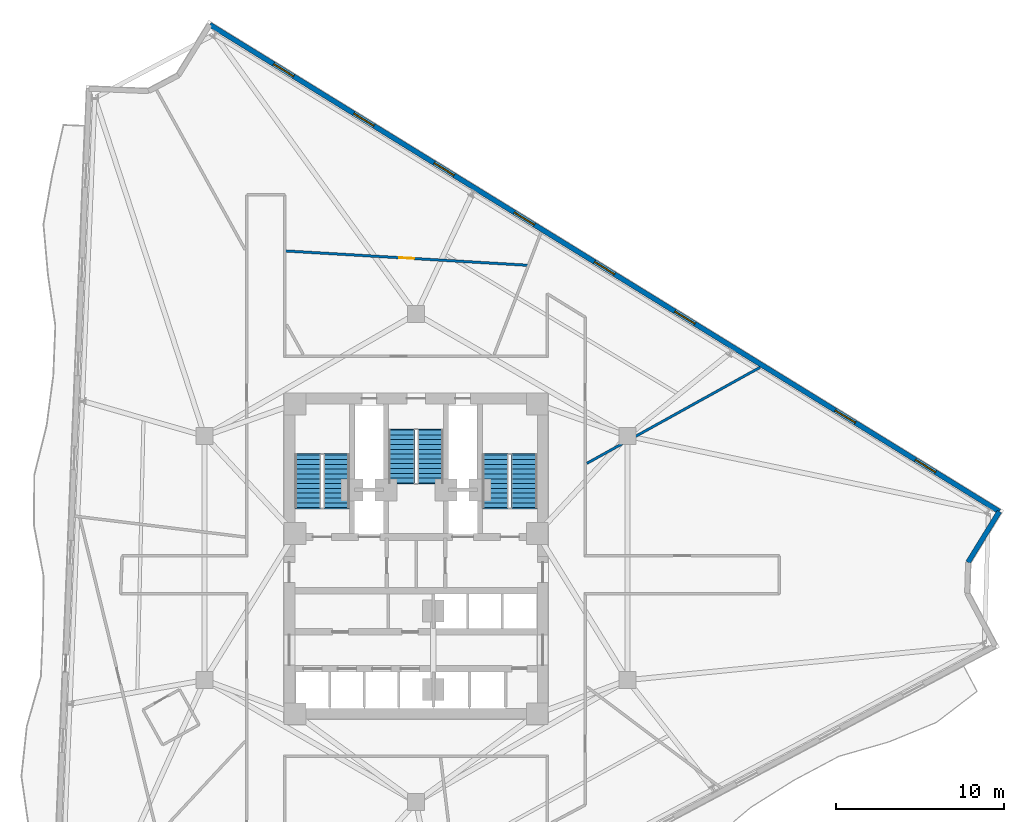
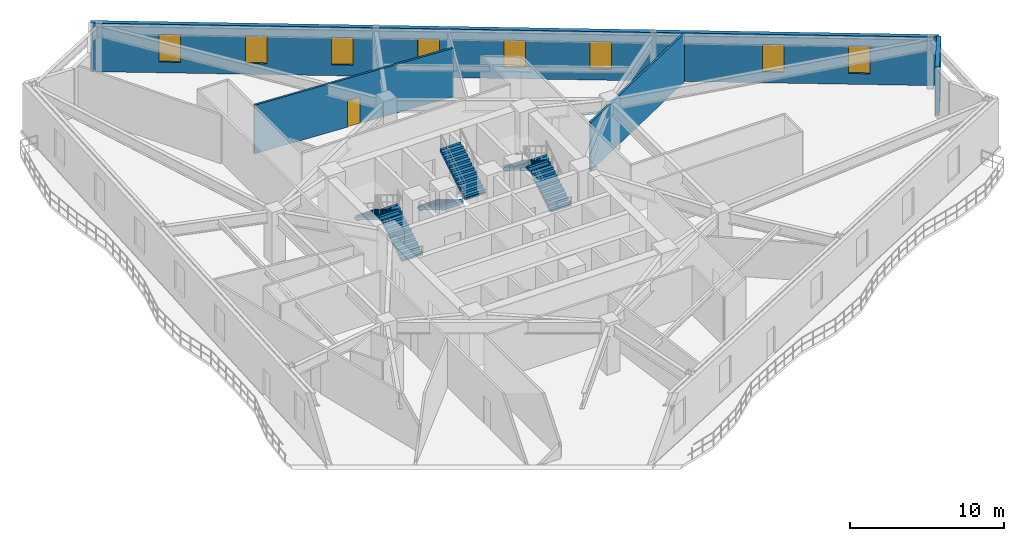
# One storey, part 8 of 11: 8 windows, 6 stair flights, 4 walls, 1 door, 9 openings, 3 elements without a shape of their own.
"""IFC4 building model written with IfcOpenShell, lengths in metres."""

import ifcopenshell
import ifcopenshell.guid

model = None  # the IFC model being written
_history = None  # IfcOwnerHistory: only IFC2X3 demands one
_inside = {}  # id of a spatial element -> (the spatial element, [elements in it])
_under = {}  # id of a project, library or spatial element -> (it, [spatial elements below it])
_declared = {}  # id of a project -> (the project, [libraries it declares])
_typed = {}  # id of a type object -> (the type object, [elements of that type])
_made_of = {}  # id of a material, layer set ... -> (it, [elements and type objects made of it])


def new_model(schema):
    """Start an empty IFC model of exactly this schema.

    Asked for "IFC4X3", IfcOpenShell would pick the latest addendum, in which some entities
    have other attributes; the version numbers below select the first issue.
    IFC2X3 requires an IfcOwnerHistory on every rooted entity: one is made here for all.
    """
    global model, _history
    if schema == "IFC4X3":
        model = ifcopenshell.file(schema_version=(4, 3, 0, 0))
    else:
        model = ifcopenshell.file(schema=schema)
    _inside.clear()
    _under.clear()
    _declared.clear()
    _typed.clear()
    _made_of.clear()
    _history = None
    if model.schema == "IFC2X3":
        org = make("IfcOrganization", Name="unknown")
        user = make(
            "IfcPersonAndOrganization",
            ThePerson=make("IfcPerson", FamilyName="unknown"),
            TheOrganization=org,
        )
        app = make(
            "IfcApplication",
            ApplicationDeveloper=org,
            Version="unknown",
            ApplicationFullName="unknown",
            ApplicationIdentifier="unknown",
        )
        _history = make(
            "IfcOwnerHistory",
            OwningUser=user,
            OwningApplication=app,
            ChangeAction="ADDED",
            CreationDate=0,
        )
    return model


def make(cls, **values):
    """One entity of the class cls with the attributes given. An attribute that is None is left unset."""
    return model.create_entity(
        cls, **{name: value for name, value in values.items() if value is not None}
    )


def rooted(cls, **values):
    """An entity with a GlobalId (a new one), such as an element, a storey or a relation."""
    return make(cls, GlobalId=ifcopenshell.guid.new(), OwnerHistory=_history, **values)


def si_unit(unit_type, name, prefix=None):
    """IfcSIUnit, for example si_unit("LENGTHUNIT", "METRE", prefix="MILLI")."""
    return make("IfcSIUnit", UnitType=unit_type, Prefix=prefix, Name=name)


def assignment(units):
    """IfcUnitAssignment: the units of a project."""
    return None if units is None else make("IfcUnitAssignment", Units=units)


def point(xyz):
    """IfcCartesianPoint."""
    return None if xyz is None else make("IfcCartesianPoint", Coordinates=xyz)


def direction(xyz):
    """IfcDirection."""
    return None if xyz is None else make("IfcDirection", DirectionRatios=xyz)


def frame(location, z_axis=None, x_axis=None):
    """IfcAxis2Placement3D, a coordinate frame: its origin and axes. An axis left out is left unset."""
    return make(
        "IfcAxis2Placement3D",
        Location=point(location),
        Axis=direction(z_axis),
        RefDirection=direction(x_axis),
    )


def frame_2d(location, x_axis=None):
    """IfcAxis2Placement2D, a coordinate frame in the plane: its origin and x axis."""
    return make(
        "IfcAxis2Placement2D", Location=point(location), RefDirection=direction(x_axis)
    )


def origin():
    """The frame at (0, 0, 0) with its axes left unset."""
    return frame((0.0, 0.0, 0.0))


def place(relative_to, where):
    """IfcLocalPlacement: puts the frame where relative to a parent placement (None: the world)."""
    return make(
        "IfcLocalPlacement", PlacementRelTo=relative_to, RelativePlacement=where
    )


def context(
    kind, dimensions, precision=None, world=None, true_north=None, identifier=None
):
    """IfcGeometricRepresentationContext, for example the 3D "Model" context."""
    return make(
        "IfcGeometricRepresentationContext",
        ContextIdentifier=identifier,
        ContextType=kind,
        CoordinateSpaceDimension=dimensions,
        Precision=precision,
        WorldCoordinateSystem=world,
        TrueNorth=true_north,
    )


def subcontext(parent, identifier, kind, view, scale=None):
    """IfcGeometricRepresentationSubContext, for example "Body" below "Model"."""
    return make(
        "IfcGeometricRepresentationSubContext",
        ContextIdentifier=identifier,
        ContextType=kind,
        ParentContext=parent,
        TargetScale=scale,
        TargetView=view,
    )


def project(units=None, contexts=None):
    """IfcProject with its units and contexts."""
    return rooted(
        "IfcProject",
        Name="project",
        RepresentationContexts=contexts,
        UnitsInContext=assignment(units),
    )


def spatial(cls, under=None, at=None, **own):
    """A site, building, storey or space (cls), placed at a placement, below another one or the project."""
    s = rooted(cls, ObjectPlacement=at, **own)
    if under is not None:
        _under.setdefault(under.id(), (under, []))[1].append(s)
    return s


def polyline(points):
    """IfcPolyline through the points."""
    return make("IfcPolyline", Points=[point(p) for p in points])


def profile(cls, at=None, kind="AREA", **sizes):
    """A parametric profile (cls). Its sizes go by their IFC names, for example OverallWidth=200.0."""
    return make(cls, ProfileType=kind, Position=at, **sizes)


def rectangle(**sizes):
    """IfcRectangleProfileDef."""
    return profile("IfcRectangleProfileDef", **sizes)


def outline(outer, holes=None, kind="AREA"):
    """IfcArbitraryClosedProfileDef: a profile drawn as a closed curve; with holes, ...WithVoids."""
    if holes is None:
        return make("IfcArbitraryClosedProfileDef", ProfileType=kind, OuterCurve=outer)
    return make(
        "IfcArbitraryProfileDefWithVoids",
        ProfileType=kind,
        OuterCurve=outer,
        InnerCurves=holes,
    )


def extrude(swept, where, along, depth):
    """IfcExtrudedAreaSolid: the profile swept, set in the frame where, extruded along a direction by depth."""
    return make(
        "IfcExtrudedAreaSolid",
        SweptArea=swept,
        Position=where,
        ExtrudedDirection=direction(along),
        Depth=depth,
    )


def shape(context_of_items, identifier, shape_type, items):
    """IfcShapeRepresentation: the items that make up one representation, for example the "Body"."""
    return make(
        "IfcShapeRepresentation",
        ContextOfItems=context_of_items,
        RepresentationIdentifier=identifier,
        RepresentationType=shape_type,
        Items=items,
    )


def material(Name=None, Category=None):
    """IfcMaterial."""
    return make("IfcMaterial", Name=Name, Category=Category)


def layer(
    of_material, thickness, ventilated=None, Name=None, Category=None, Priority=None
):
    """IfcMaterialLayer: one layer of a wall or slab, of a material (None: an air gap)."""
    return make(
        "IfcMaterialLayer",
        Material=of_material,
        LayerThickness=thickness,
        IsVentilated=ventilated,
        Name=Name,
        Category=Category,
        Priority=Priority,
    )


def layer_set(layers, Name=None):
    """IfcMaterialLayerSet."""
    return make("IfcMaterialLayerSet", MaterialLayers=layers, LayerSetName=Name)


def made_of(thing, what):
    """Note that an element or type object is made of a material, layer set ...; save() writes the relation."""
    if what is not None:
        _made_of.setdefault(what.id(), (what, []))[1].append(thing)
    return thing


def type_object(cls, material=None, **own):
    """A type object (cls), such as IfcWallType, which elements share."""
    return made_of(rooted(cls, **own), material)


def element(
    cls,
    number,
    at=None,
    inside=None,
    cuts=None,
    type_object=None,
    material=None,
    context=None,
    identifier="Body",
    shape_type=None,
    held_by="IfcProductDefinitionShape",
    body=None,
    shapes=None,
    **own,
):
    """One element of the class cls, such as IfcWall. Its Tag is "e" and its number.

    at: its placement. inside: the storey or other place that contains it. cuts: it is an
    opening in that element (IfcRelVoidsElement). A single representation is given by context,
    identifier, shape_type and body (its items); several are given by shapes. held_by: the class
    of the entity that holds the representations. save() writes the other relations.
    """
    e = rooted(cls, Tag="e%d" % number, ObjectPlacement=at, **own)
    if body is not None:
        shapes = [shape(context, identifier, shape_type, body)]
    if shapes is not None:
        e.Representation = make(held_by, Representations=shapes)
    if inside is not None:
        _inside.setdefault(inside.id(), (inside, []))[1].append(e)
    if cuts is not None:
        rooted(
            "IfcRelVoidsElement", RelatingBuildingElement=cuts, RelatedOpeningElement=e
        )
    if type_object is not None:
        _typed.setdefault(type_object.id(), (type_object, []))[1].append(e)
    return made_of(e, material)


def fill(opening, filler):
    """IfcRelFillsElement: the door or window that sits in an opening."""
    return rooted(
        "IfcRelFillsElement",
        RelatingOpeningElement=opening,
        RelatedBuildingElement=filler,
    )


def aggregate(whole, parts):
    """IfcRelAggregates: a whole, such as a stair, and the parts it consists of."""
    return rooted("IfcRelAggregates", RelatingObject=whole, RelatedObjects=parts)


def save(model, path):
    """Write the relations noted so far, then the file.

    IfcRelAggregates (storeys below a building ...), IfcRelContainedInSpatialStructure (elements
    in a storey), IfcRelDefinesByType, IfcRelAssociatesMaterial and IfcRelDeclares: one each for
    every whole, place, type object, material and project.
    """
    for whole, parts in _under.values():
        aggregate(whole, parts)
    for where, things in _inside.values():
        rooted(
            "IfcRelContainedInSpatialStructure",
            RelatedElements=things,
            RelatingStructure=where,
        )
    for kind, things in _typed.values():
        rooted("IfcRelDefinesByType", RelatedObjects=things, RelatingType=kind)
    for what, things in _made_of.values():
        rooted("IfcRelAssociatesMaterial", RelatedObjects=things, RelatingMaterial=what)
    for by, libraries in _declared.values():
        rooted("IfcRelDeclares", RelatingContext=by, RelatedDefinitions=libraries)
    model.write(path)


model = new_model("IFC4")

# Units and contexts
model_context = context("Model", 3, precision=1e-05, world=origin(), true_north=direction((0.0, 1.0)))
body_context = subcontext(model_context, "Body", "Model", "MODEL_VIEW")
ifc_project = project(units=[si_unit("LENGTHUNIT", "METRE"), si_unit("AREAUNIT", "SQUARE_METRE"), si_unit("VOLUMEUNIT", "CUBIC_METRE"), si_unit("PLANEANGLEUNIT", "RADIAN"), si_unit("MASSUNIT", "GRAM", prefix="KILO")], contexts=[model_context])

# Site, building, storey
site_placement = place(None, origin())
site = spatial("IfcSite", under=ifc_project, at=site_placement, CompositionType="ELEMENT")
building_placement = place(site_placement, origin())
building = spatial("IfcBuilding", under=site, at=building_placement, Name="Apsidion Concourse Tower", CompositionType="ELEMENT")
storey_placement = place(building_placement, frame((0.0, 0.0, 169.60009765625)))
storey = spatial("IfcBuildingStorey", under=building, at=storey_placement, Name="L39", CompositionType="ELEMENT", Elevation=169.60009765625)

# Wall, openings, windows
ifc_material_1 = material(Name="Precast concrete C40/50", Category="concrete")
ifc_layer_1 = layer(ifc_material_1, 0.300048828125)
ifc_layer_set_1 = layer_set([ifc_layer_1], Name="Precast concrete C40/50")
wall_type_1 = type_object("IfcWallType", Name="WL-EXT-300", PredefinedType="STANDARD", material=ifc_layer_set_1)
wall_1_placement = place(storey_placement, frame((-12.255126953125, 31.68896484375, 0.0), z_axis=(0.0, 0.0, 1.0), x_axis=(0.851166647402, -0.524895549944, 0.0)))
wall_1 = element("IfcWall", 1, at=wall_1_placement, inside=storey, type_object=wall_type_1, Name="L39 Precast Stone Facade Wall 01", PredefinedType="STANDARD", context=body_context, shape_type="SweptSolid", body=[
    extrude(rectangle(XDim=55.110595703125, YDim=0.300048828125, at=frame_2d((27.55517578125, 0.0))), origin(), (0.0, 0.0, 1.0), 3.849853515625),
])
opening_1_placement = place(wall_1_placement, frame((4.455322265625, 0.0, 0.85009765625)))
opening_1 = element("IfcOpeningElement", 2, at=opening_1_placement, cuts=wall_1, Name="Opening WN-05", PredefinedType="OPENING", context=body_context, shape_type="SweptSolid", body=[
    extrude(rectangle(XDim=1.39990234375, YDim=2.199951171875, at=frame_2d((0.699951171875, 1.10009765625))), frame((0.0, 0.16015625, 0.0), z_axis=(0.0, -1.0, 0.0), x_axis=(1.0, 0.0, 0.0)), (0.0, 0.0, 1.0), 0.320068359375),
])
opening_2_placement = place(wall_1_placement, frame((10.055419921875, 0.0, 0.85009765625)))
opening_2 = element("IfcOpeningElement", 3, at=opening_2_placement, cuts=wall_1, Name="Opening WN-05", PredefinedType="OPENING", context=body_context, shape_type="SweptSolid", body=[
    extrude(rectangle(XDim=1.39990234375, YDim=2.199951171875, at=frame_2d((0.699951171875, 1.10009765625))), frame((0.0, 0.16015625, 0.0), z_axis=(0.0, -1.0, 0.0), x_axis=(1.0, 0.0, 0.0)), (0.0, 0.0, 1.0), 0.320068359375),
])
opening_3_placement = place(wall_1_placement, frame((15.6552734375, 0.0, 0.85009765625)))
opening_3 = element("IfcOpeningElement", 4, at=opening_3_placement, cuts=wall_1, Name="Opening WN-05", PredefinedType="OPENING", context=body_context, shape_type="SweptSolid", body=[
    extrude(rectangle(XDim=1.39990234375, YDim=2.199951171875, at=frame_2d((0.699951171875, 1.10009765625))), frame((0.0, 0.16015625, 0.0), z_axis=(0.0, -1.0, 0.0), x_axis=(1.0, 0.0, 0.0)), (0.0, 0.0, 1.0), 0.320068359375),
])
opening_4_placement = place(wall_1_placement, frame((21.25537109375, 0.0, 0.85009765625)))
opening_4 = element("IfcOpeningElement", 5, at=opening_4_placement, cuts=wall_1, Name="Opening WN-05", PredefinedType="OPENING", context=body_context, shape_type="SweptSolid", body=[
    extrude(rectangle(XDim=1.39990234375, YDim=2.199951171875, at=frame_2d((0.699951171875, 1.10009765625))), frame((0.0, 0.16015625, 0.0), z_axis=(0.0, -1.0, 0.0), x_axis=(1.0, 0.0, 0.0)), (0.0, 0.0, 1.0), 0.320068359375),
])
opening_5_placement = place(wall_1_placement, frame((26.855224609375, 0.0, 0.85009765625)))
opening_5 = element("IfcOpeningElement", 6, at=opening_5_placement, cuts=wall_1, Name="Opening WN-05", PredefinedType="OPENING", context=body_context, shape_type="SweptSolid", body=[
    extrude(rectangle(XDim=1.39990234375, YDim=2.199951171875, at=frame_2d((0.699951171875, 1.10009765625))), frame((0.0, 0.16015625, 0.0), z_axis=(0.0, -1.0, 0.0), x_axis=(1.0, 0.0, 0.0)), (0.0, 0.0, 1.0), 0.320068359375),
])
opening_6_placement = place(wall_1_placement, frame((32.455322265625, 0.0, 0.85009765625)))
opening_6 = element("IfcOpeningElement", 7, at=opening_6_placement, cuts=wall_1, Name="Opening WN-05", PredefinedType="OPENING", context=body_context, shape_type="SweptSolid", body=[
    extrude(rectangle(XDim=1.39990234375, YDim=2.199951171875, at=frame_2d((0.699951171875, 1.10009765625))), frame((0.0, 0.16015625, 0.0), z_axis=(0.0, -1.0, 0.0), x_axis=(1.0, 0.0, 0.0)), (0.0, 0.0, 1.0), 0.320068359375),
])
opening_7_placement = place(wall_1_placement, frame((43.6552734375, 0.0, 0.85009765625)))
opening_7 = element("IfcOpeningElement", 8, at=opening_7_placement, cuts=wall_1, Name="Opening WN-05", PredefinedType="OPENING", context=body_context, shape_type="SweptSolid", body=[
    extrude(rectangle(XDim=1.39990234375, YDim=2.199951171875, at=frame_2d((0.699951171875, 1.10009765625))), frame((0.0, 0.16015625, 0.0), z_axis=(0.0, -1.0, 0.0), x_axis=(1.0, 0.0, 0.0)), (0.0, 0.0, 1.0), 0.320068359375),
])
opening_8_placement = place(wall_1_placement, frame((49.25537109375, 0.0, 0.85009765625)))
opening_8 = element("IfcOpeningElement", 9, at=opening_8_placement, cuts=wall_1, Name="Opening WN-05", PredefinedType="OPENING", context=body_context, shape_type="SweptSolid", body=[
    extrude(rectangle(XDim=1.39990234375, YDim=2.199951171875, at=frame_2d((0.699951171875, 1.10009765625))), frame((0.0, 0.16015625, 0.0), z_axis=(0.0, -1.0, 0.0), x_axis=(1.0, 0.0, 0.0)), (0.0, 0.0, 1.0), 0.320068359375),
])
ifc_material_2 = material(Name="Insulated laminated low-E glass", Category="glass")
window_type = type_object("IfcWindowType", Name="WN-OFF-1424", PartitioningType="SINGLE_PANEL", PredefinedType="WINDOW", material=ifc_material_2)
window_1_placement = place(opening_1_placement, origin())
window_1 = element("IfcWindow", 10, at=window_1_placement, inside=storey, type_object=window_type, Name="L39 Punched Facade Window 1-01", OverallHeight=2.199951171875, OverallWidth=1.39990234375, PartitioningType="SINGLE_PANEL", PredefinedType="WINDOW", context=body_context, shape_type="SweptSolid", body=[
    extrude(rectangle(XDim=1.39990234375, YDim=2.199951171875, at=frame_2d((0.699951171875, 1.10009765625))), frame((0.0, 0.030029296875, 0.0), z_axis=(0.0, -1.0, 0.0), x_axis=(1.0, 0.0, 0.0)), (0.0, 0.0, 1.0), 0.06005859375),
])
fill(opening_1, window_1)
window_2_placement = place(opening_2_placement, origin())
window_2 = element("IfcWindow", 11, at=window_2_placement, inside=storey, type_object=window_type, Name="L39 Punched Facade Window 1-02", OverallHeight=2.199951171875, OverallWidth=1.39990234375, PartitioningType="SINGLE_PANEL", PredefinedType="WINDOW", context=body_context, shape_type="SweptSolid", body=[
    extrude(rectangle(XDim=1.39990234375, YDim=2.199951171875, at=frame_2d((0.699951171875, 1.10009765625))), frame((0.0, 0.030029296875, 0.0), z_axis=(0.0, -1.0, 0.0), x_axis=(1.0, 0.0, 0.0)), (0.0, 0.0, 1.0), 0.06005859375),
])
fill(opening_2, window_2)
window_3_placement = place(opening_3_placement, origin())
window_3 = element("IfcWindow", 12, at=window_3_placement, inside=storey, type_object=window_type, Name="L39 Punched Facade Window 1-03", OverallHeight=2.199951171875, OverallWidth=1.39990234375, PartitioningType="SINGLE_PANEL", PredefinedType="WINDOW", context=body_context, shape_type="SweptSolid", body=[
    extrude(rectangle(XDim=1.39990234375, YDim=2.199951171875, at=frame_2d((0.699951171875, 1.10009765625))), frame((0.0, 0.030029296875, 0.0), z_axis=(0.0, -1.0, 0.0), x_axis=(1.0, 0.0, 0.0)), (0.0, 0.0, 1.0), 0.06005859375),
])
fill(opening_3, window_3)
window_4_placement = place(opening_4_placement, origin())
window_4 = element("IfcWindow", 13, at=window_4_placement, inside=storey, type_object=window_type, Name="L39 Punched Facade Window 1-04", OverallHeight=2.199951171875, OverallWidth=1.39990234375, PartitioningType="SINGLE_PANEL", PredefinedType="WINDOW", context=body_context, shape_type="SweptSolid", body=[
    extrude(rectangle(XDim=1.39990234375, YDim=2.199951171875, at=frame_2d((0.699951171875, 1.10009765625))), frame((0.0, 0.030029296875, 0.0), z_axis=(0.0, -1.0, 0.0), x_axis=(1.0, 0.0, 0.0)), (0.0, 0.0, 1.0), 0.06005859375),
])
fill(opening_4, window_4)
window_5_placement = place(opening_5_placement, origin())
window_5 = element("IfcWindow", 14, at=window_5_placement, inside=storey, type_object=window_type, Name="L39 Punched Facade Window 1-05", OverallHeight=2.199951171875, OverallWidth=1.39990234375, PartitioningType="SINGLE_PANEL", PredefinedType="WINDOW", context=body_context, shape_type="SweptSolid", body=[
    extrude(rectangle(XDim=1.39990234375, YDim=2.199951171875, at=frame_2d((0.699951171875, 1.10009765625))), frame((0.0, 0.030029296875, 0.0), z_axis=(0.0, -1.0, 0.0), x_axis=(1.0, 0.0, 0.0)), (0.0, 0.0, 1.0), 0.06005859375),
])
fill(opening_5, window_5)
window_6_placement = place(opening_6_placement, origin())
window_6 = element("IfcWindow", 15, at=window_6_placement, inside=storey, type_object=window_type, Name="L39 Punched Facade Window 1-06", OverallHeight=2.199951171875, OverallWidth=1.39990234375, PartitioningType="SINGLE_PANEL", PredefinedType="WINDOW", context=body_context, shape_type="SweptSolid", body=[
    extrude(rectangle(XDim=1.39990234375, YDim=2.199951171875, at=frame_2d((0.699951171875, 1.10009765625))), frame((0.0, 0.030029296875, 0.0), z_axis=(0.0, -1.0, 0.0), x_axis=(1.0, 0.0, 0.0)), (0.0, 0.0, 1.0), 0.06005859375),
])
fill(opening_6, window_6)
window_7_placement = place(opening_7_placement, origin())
window_7 = element("IfcWindow", 16, at=window_7_placement, inside=storey, type_object=window_type, Name="L39 Punched Facade Window 1-08", OverallHeight=2.199951171875, OverallWidth=1.39990234375, PartitioningType="SINGLE_PANEL", PredefinedType="WINDOW", context=body_context, shape_type="SweptSolid", body=[
    extrude(rectangle(XDim=1.39990234375, YDim=2.199951171875, at=frame_2d((0.699951171875, 1.10009765625))), frame((0.0, 0.030029296875, 0.0), z_axis=(0.0, -1.0, 0.0), x_axis=(1.0, 0.0, 0.0)), (0.0, 0.0, 1.0), 0.06005859375),
])
fill(opening_7, window_7)
window_8_placement = place(opening_8_placement, origin())
window_8 = element("IfcWindow", 17, at=window_8_placement, inside=storey, type_object=window_type, Name="L39 Punched Facade Window 1-09", OverallHeight=2.199951171875, OverallWidth=1.39990234375, PartitioningType="SINGLE_PANEL", PredefinedType="WINDOW", context=body_context, shape_type="SweptSolid", body=[
    extrude(rectangle(XDim=1.39990234375, YDim=2.199951171875, at=frame_2d((0.699951171875, 1.10009765625))), frame((0.0, 0.030029296875, 0.0), z_axis=(0.0, -1.0, 0.0), x_axis=(1.0, 0.0, 0.0)), (0.0, 0.0, 1.0), 0.06005859375),
])
fill(opening_8, window_8)

# Walls
wall_2_placement = place(storey_placement, frame((34.653076171875, 2.76171875, 0.0), z_axis=(0.0, 0.0, 1.0), x_axis=(-0.524920336071, -0.85115136185, 0.0)))
element("IfcWall", 18, at=wall_2_placement, inside=storey, type_object=wall_type_1, Name="L39 Precast Stone Facade Wall 02", PredefinedType="STANDARD", context=body_context, shape_type="SweptSolid", body=[
    extrude(rectangle(XDim=3.541259765625, YDim=0.300048828125, at=frame_2d((1.7705078125, 0.0))), origin(), (0.0, 0.0, 1.0), 3.849853515625),
])
ifc_material_3 = material(Name="Gypsum plasterboard partition")
ifc_layer_2 = layer(ifc_material_3, 0.14990234375)
ifc_layer_set_2 = layer_set([ifc_layer_2], Name="Gypsum plasterboard partition")
wall_type_2 = type_object("IfcWallType", Name="WL-INT-PAR-150", PredefinedType="PARTITIONING", material=ifc_layer_set_2)
wall_3_placement = place(storey_placement, frame((10.155029296875, 5.62890625, 0.0), z_axis=(0.0, 0.0, 1.0), x_axis=(0.874619007446, 0.484810882524, 0.0)))
element("IfcWall", 19, at=wall_3_placement, inside=storey, type_object=wall_type_2, Name="L39 Interior Partition WL-L39-RAD-01-1", PredefinedType="PARTITIONING", context=body_context, shape_type="SweptSolid", body=[
    extrude(rectangle(XDim=11.76220703125, YDim=0.14990234375, at=frame_2d((5.881103515625, 0.0))), origin(), (0.0, 0.0, 1.0), 3.849853515625),
])

# Wall, opening, door
wall_4_placement = place(storey_placement, frame((6.649169921875, 17.3916015625, 0.0), z_axis=(0.0, 0.0, 1.0), x_axis=(-0.998251685382, 0.059106451699, 0.0)))
wall_4 = element("IfcWall", 20, at=wall_4_placement, inside=storey, type_object=wall_type_2, Name="L39 Interior Partition WL-L39-CHD-OFS05", PredefinedType="PARTITIONING", context=body_context, shape_type="SweptSolid", body=[
    extrude(rectangle(XDim=14.4443359375, YDim=0.14990234375, at=frame_2d((7.22216796875, 0.0))), origin(), (0.0, 0.0, 1.0), 3.849853515625),
])
opening_9_placement = place(wall_4_placement, frame((6.772216796875, 0.0, 0.0)))
opening_9 = element("IfcOpeningElement", 21, at=opening_9_placement, cuts=wall_4, Name="Opening D-02R", PredefinedType="OPENING", context=body_context, shape_type="SweptSolid", body=[
    extrude(rectangle(XDim=0.89990234375, YDim=2.10009765625, at=frame_2d((0.449951171875, 1.050048828125))), frame((0.0, 0.0849609375, 0.0), z_axis=(0.0, -1.0, 0.0), x_axis=(1.0, 0.0, 0.0)), (0.0, 0.0, 1.0), 0.169921875),
])
ifc_material_4 = material(Name="Anodised aluminium EN AW-6063 T6", Category="aluminium")
door_type = type_object("IfcDoorType", Name="DR-INT-D02R", OperationType="SINGLE_SWING_RIGHT", PredefinedType="DOOR", material=ifc_material_4)
door_placement = place(opening_9_placement, origin())
door = element("IfcDoor", 22, at=door_placement, inside=storey, type_object=door_type, Name="L39 Suite Connecting Door OFS05", OperationType="SINGLE_SWING_RIGHT", OverallHeight=2.10009765625, OverallWidth=0.89990234375, PredefinedType="DOOR", context=body_context, shape_type="SweptSolid", body=[
    extrude(rectangle(XDim=0.89990234375, YDim=2.10009765625, at=frame_2d((0.449951171875, 1.050048828125))), frame((0.0, 0.02490234375, 0.0), z_axis=(0.0, -1.0, 0.0), x_axis=(1.0, 0.0, 0.0)), (0.0, 0.0, 1.0), 0.050048828125),
])
fill(opening_9, door)

# Stair, stair flights
stair_type = type_object("IfcStairType", Name="ST-DL-1550", PredefinedType="HALF_TURN_STAIR", material=ifc_material_1)
stair_1_placement = place(storey_placement, origin())
stair_1 = element("IfcStair", 23, at=stair_1_placement, inside=storey, type_object=stair_type, Name="L39 Protected Core Exit Stair ST1", PredefinedType="HALF_TURN_STAIR")
stair_flight_type = type_object("IfcStairFlightType", Name="SFL-RC-1550", PredefinedType="STRAIGHT", material=ifc_material_1)
stair_flight_1_placement = place(storey_placement, frame((-4.72509765625, 3.0, 0.0), z_axis=(0.0, 0.0, 1.0), x_axis=(0.0, 1.0, 0.0)))
stair_flight_1 = element("IfcStairFlight", 24, at=stair_flight_1_placement, type_object=stair_flight_type, Name="ST1 flight 1", NumberOfRisers=12, NumberOfTreads=11, PredefinedType="STRAIGHT", RiserHeight=0.170833333, TreadLength=0.285, context=body_context, shape_type="SweptSolid", body=[
    extrude(outline(polyline([(-0.080078125, -0.1123046875), (-0.080078125, 0.0), (0.0, 0.0), (0.0, 0.1708984375), (0.284912109375, 0.1708984375), (0.284912109375, 0.341552734375), (0.570068359375, 0.341552734375), (0.570068359375, 0.512451171875), (0.85498046875, 0.512451171875), (0.85498046875, 0.683349609375), (1.139892578125, 0.683349609375), (1.139892578125, 0.854248046875), (1.425048828125, 0.854248046875), (1.425048828125, 1.02490234375), (1.7099609375, 1.02490234375), (1.7099609375, 1.19580078125), (1.9951171875, 1.19580078125), (1.9951171875, 1.36669921875), (2.280029296875, 1.36669921875), (2.280029296875, 1.53759765625), (2.56494140625, 1.53759765625), (2.56494140625, 1.708251953125), (2.85009765625, 1.708251953125), (2.85009765625, 1.879150390625), (3.135009765625, 1.879150390625), (3.135009765625, 2.050048828125), (3.215087890625, 1.964599609375), (3.215087890625, 1.704345703125), (3.135009765625, 1.704345703125), (0.29150390625, 0.0), (0.29150390625, -0.1123046875), (-0.080078125, -0.1123046875)])), frame((0.0, 0.77490234375, 0.0), z_axis=(0.0, -1.0, 0.0), x_axis=(1.0, 0.0, 0.0)), (0.0, 0.0, 1.0), 1.550048828125),
])
stair_flight_2_placement = place(storey_placement, frame((-6.425048828125, 6.135009765625, 2.0498046875), z_axis=(0.0, 0.0, 1.0), x_axis=(0.0, -1.0, 0.0)))
stair_flight_2 = element("IfcStairFlight", 25, at=stair_flight_2_placement, type_object=stair_flight_type, Name="ST1 flight 2", NumberOfRisers=12, NumberOfTreads=11, PredefinedType="STRAIGHT", RiserHeight=0.170833333, TreadLength=0.285, context=body_context, shape_type="SweptSolid", body=[
    extrude(outline(polyline([(-0.080078125, -0.1123046875), (-0.080078125, 0.0), (0.0, 0.0), (0.0, 0.1708984375), (0.284912109375, 0.1708984375), (0.284912109375, 0.341552734375), (0.570068359375, 0.341552734375), (0.570068359375, 0.512451171875), (0.85498046875, 0.512451171875), (0.85498046875, 0.683349609375), (1.139892578125, 0.683349609375), (1.139892578125, 0.854248046875), (1.425048828125, 0.854248046875), (1.425048828125, 1.02490234375), (1.7099609375, 1.02490234375), (1.7099609375, 1.19580078125), (1.9951171875, 1.19580078125), (1.9951171875, 1.36669921875), (2.280029296875, 1.36669921875), (2.280029296875, 1.53759765625), (2.56494140625, 1.53759765625), (2.56494140625, 1.708251953125), (2.85009765625, 1.708251953125), (2.85009765625, 1.879150390625), (3.135009765625, 1.879150390625), (3.135009765625, 2.050048828125), (3.215087890625, 1.964599609375), (3.215087890625, 1.704345703125), (3.135009765625, 1.704345703125), (0.29150390625, 0.0), (0.29150390625, -0.1123046875), (-0.080078125, -0.1123046875)])), frame((0.0, 0.77490234375, 0.0), z_axis=(0.0, -1.0, 0.0), x_axis=(1.0, 0.0, 0.0)), (0.0, 0.0, 1.0), 1.550048828125),
])
aggregate(stair_1, [stair_flight_1, stair_flight_2])

stair_2_placement = place(storey_placement, origin())
stair_2 = element("IfcStair", 26, at=stair_2_placement, inside=storey, type_object=stair_type, Name="L39 Protected Core Exit Stair ST2", PredefinedType="HALF_TURN_STAIR")
stair_flight_3_placement = place(storey_placement, frame((6.425048828125, 3.0, 0.0), z_axis=(0.0, 0.0, 1.0), x_axis=(0.0, 1.0, 0.0)))
stair_flight_3 = element("IfcStairFlight", 27, at=stair_flight_3_placement, type_object=stair_flight_type, Name="ST2 flight 1", NumberOfRisers=12, NumberOfTreads=11, PredefinedType="STRAIGHT", RiserHeight=0.170833333, TreadLength=0.285, context=body_context, shape_type="SweptSolid", body=[
    extrude(outline(polyline([(-0.080078125, -0.1123046875), (-0.080078125, 0.0), (0.0, 0.0), (0.0, 0.1708984375), (0.284912109375, 0.1708984375), (0.284912109375, 0.341552734375), (0.570068359375, 0.341552734375), (0.570068359375, 0.512451171875), (0.85498046875, 0.512451171875), (0.85498046875, 0.683349609375), (1.139892578125, 0.683349609375), (1.139892578125, 0.854248046875), (1.425048828125, 0.854248046875), (1.425048828125, 1.02490234375), (1.7099609375, 1.02490234375), (1.7099609375, 1.19580078125), (1.9951171875, 1.19580078125), (1.9951171875, 1.36669921875), (2.280029296875, 1.36669921875), (2.280029296875, 1.53759765625), (2.56494140625, 1.53759765625), (2.56494140625, 1.708251953125), (2.85009765625, 1.708251953125), (2.85009765625, 1.879150390625), (3.135009765625, 1.879150390625), (3.135009765625, 2.050048828125), (3.215087890625, 1.964599609375), (3.215087890625, 1.704345703125), (3.135009765625, 1.704345703125), (0.29150390625, 0.0), (0.29150390625, -0.1123046875), (-0.080078125, -0.1123046875)])), frame((0.0, 0.77490234375, 0.0), z_axis=(0.0, -1.0, 0.0), x_axis=(1.0, 0.0, 0.0)), (0.0, 0.0, 1.0), 1.550048828125),
])
stair_flight_4_placement = place(storey_placement, frame((4.72509765625, 6.135009765625, 2.0498046875), z_axis=(0.0, 0.0, 1.0), x_axis=(0.0, -1.0, 0.0)))
stair_flight_4 = element("IfcStairFlight", 28, at=stair_flight_4_placement, type_object=stair_flight_type, Name="ST2 flight 2", NumberOfRisers=12, NumberOfTreads=11, PredefinedType="STRAIGHT", RiserHeight=0.170833333, TreadLength=0.285, context=body_context, shape_type="SweptSolid", body=[
    extrude(outline(polyline([(-0.080078125, -0.1123046875), (-0.080078125, 0.0), (0.0, 0.0), (0.0, 0.1708984375), (0.284912109375, 0.1708984375), (0.284912109375, 0.341552734375), (0.570068359375, 0.341552734375), (0.570068359375, 0.512451171875), (0.85498046875, 0.512451171875), (0.85498046875, 0.683349609375), (1.139892578125, 0.683349609375), (1.139892578125, 0.854248046875), (1.425048828125, 0.854248046875), (1.425048828125, 1.02490234375), (1.7099609375, 1.02490234375), (1.7099609375, 1.19580078125), (1.9951171875, 1.19580078125), (1.9951171875, 1.36669921875), (2.280029296875, 1.36669921875), (2.280029296875, 1.53759765625), (2.56494140625, 1.53759765625), (2.56494140625, 1.708251953125), (2.85009765625, 1.708251953125), (2.85009765625, 1.879150390625), (3.135009765625, 1.879150390625), (3.135009765625, 2.050048828125), (3.215087890625, 1.964599609375), (3.215087890625, 1.704345703125), (3.135009765625, 1.704345703125), (0.29150390625, 0.0), (0.29150390625, -0.1123046875), (-0.080078125, -0.1123046875)])), frame((0.0, 0.77490234375, 0.0), z_axis=(0.0, -1.0, 0.0), x_axis=(1.0, 0.0, 0.0)), (0.0, 0.0, 1.0), 1.550048828125),
])
aggregate(stair_2, [stair_flight_3, stair_flight_4])

stair_3_placement = place(storey_placement, origin())
stair_3 = element("IfcStair", 29, at=stair_3_placement, inside=storey, type_object=stair_type, Name="L39 Protected Core Exit Stair ST3", PredefinedType="HALF_TURN_STAIR")
stair_flight_5_placement = place(storey_placement, frame((-0.85009765625, 7.60009765625, 0.0), z_axis=(0.0, 0.0, 1.0), x_axis=(0.0, -1.0, 0.0)))
stair_flight_5 = element("IfcStairFlight", 30, at=stair_flight_5_placement, type_object=stair_flight_type, Name="ST3 flight 1", NumberOfRisers=12, NumberOfTreads=11, PredefinedType="STRAIGHT", RiserHeight=0.170833333, TreadLength=0.285, context=body_context, shape_type="SweptSolid", body=[
    extrude(outline(polyline([(-0.080078125, -0.1123046875), (-0.080078125, 0.0), (0.0, 0.0), (0.0, 0.1708984375), (0.284912109375, 0.1708984375), (0.284912109375, 0.341552734375), (0.570068359375, 0.341552734375), (0.570068359375, 0.512451171875), (0.85498046875, 0.512451171875), (0.85498046875, 0.683349609375), (1.139892578125, 0.683349609375), (1.139892578125, 0.854248046875), (1.425048828125, 0.854248046875), (1.425048828125, 1.02490234375), (1.7099609375, 1.02490234375), (1.7099609375, 1.19580078125), (1.9951171875, 1.19580078125), (1.9951171875, 1.36669921875), (2.280029296875, 1.36669921875), (2.280029296875, 1.53759765625), (2.56494140625, 1.53759765625), (2.56494140625, 1.708251953125), (2.85009765625, 1.708251953125), (2.85009765625, 1.879150390625), (3.135009765625, 1.879150390625), (3.135009765625, 2.050048828125), (3.215087890625, 1.964599609375), (3.215087890625, 1.704345703125), (3.135009765625, 1.704345703125), (0.29150390625, 0.0), (0.29150390625, -0.1123046875), (-0.080078125, -0.1123046875)])), frame((0.0, 0.77490234375, 0.0), z_axis=(0.0, -1.0, 0.0), x_axis=(1.0, 0.0, 0.0)), (0.0, 0.0, 1.0), 1.550048828125),
])
stair_flight_6_placement = place(storey_placement, frame((0.85009765625, 4.465087890625, 2.0498046875), z_axis=(0.0, 0.0, 1.0), x_axis=(0.0, 1.0, 0.0)))
stair_flight_6 = element("IfcStairFlight", 31, at=stair_flight_6_placement, type_object=stair_flight_type, Name="ST3 flight 2", NumberOfRisers=12, NumberOfTreads=11, PredefinedType="STRAIGHT", RiserHeight=0.170833333, TreadLength=0.285, context=body_context, shape_type="SweptSolid", body=[
    extrude(outline(polyline([(-0.080078125, -0.1123046875), (-0.080078125, 0.0), (0.0, 0.0), (0.0, 0.1708984375), (0.284912109375, 0.1708984375), (0.284912109375, 0.341552734375), (0.570068359375, 0.341552734375), (0.570068359375, 0.512451171875), (0.85498046875, 0.512451171875), (0.85498046875, 0.683349609375), (1.139892578125, 0.683349609375), (1.139892578125, 0.854248046875), (1.425048828125, 0.854248046875), (1.425048828125, 1.02490234375), (1.7099609375, 1.02490234375), (1.7099609375, 1.19580078125), (1.9951171875, 1.19580078125), (1.9951171875, 1.36669921875), (2.280029296875, 1.36669921875), (2.280029296875, 1.53759765625), (2.56494140625, 1.53759765625), (2.56494140625, 1.708251953125), (2.85009765625, 1.708251953125), (2.85009765625, 1.879150390625), (3.135009765625, 1.879150390625), (3.135009765625, 2.050048828125), (3.215087890625, 1.964599609375), (3.215087890625, 1.704345703125), (3.135009765625, 1.704345703125), (0.29150390625, 0.0), (0.29150390625, -0.1123046875), (-0.080078125, -0.1123046875)])), frame((0.0, 0.77490234375, 0.0), z_axis=(0.0, -1.0, 0.0), x_axis=(1.0, 0.0, 0.0)), (0.0, 0.0, 1.0), 1.550048828125),
])
aggregate(stair_3, [stair_flight_5, stair_flight_6])

save(model, "model.ifc")
